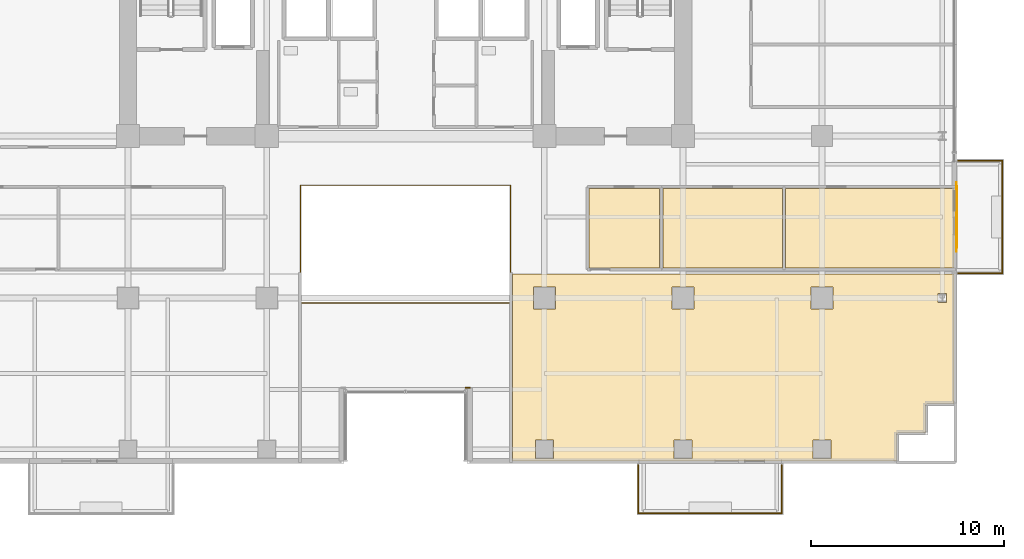
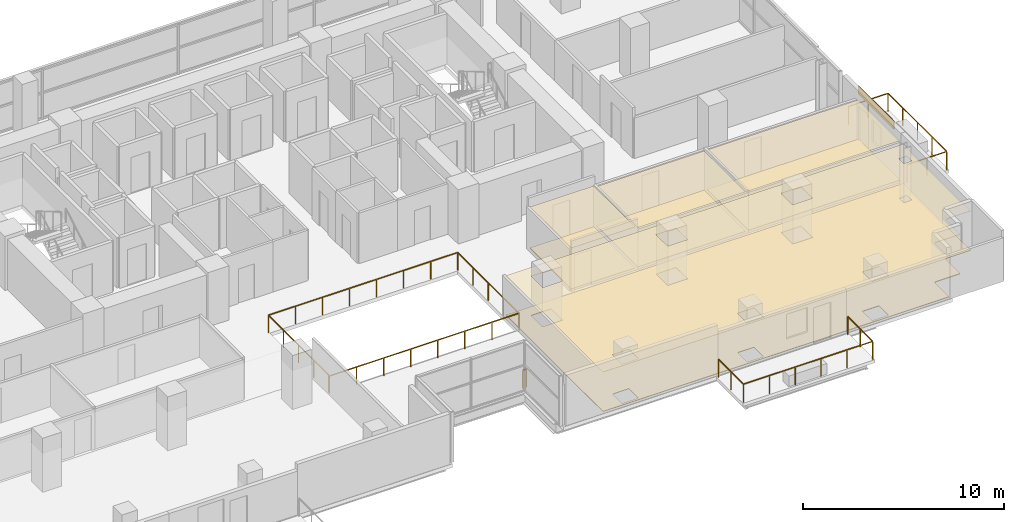
# One storey, part 28 of 30: 9 coverings, 4 railings, 1 shading device.
"""IFC4 building model written with IfcOpenShell, lengths in metres."""

from ifc_helpers import new_model, si_unit, direction, frame, origin, origin_2d, place, context, subcontext, project, spatial, polyline, rectangle, outline, extrude, source, transform, mapped, material, layer, layer_set, type_object, element, save


model = new_model("IFC4")

# Units and contexts
model_context = context("Model", 3, precision=1e-05, world=origin(), true_north=direction((0.0, 1.0)))
body_context = subcontext(model_context, "Body", "Model", "MODEL_VIEW")
ifc_project = project(units=[si_unit("LENGTHUNIT", "METRE"), si_unit("AREAUNIT", "SQUARE_METRE"), si_unit("VOLUMEUNIT", "CUBIC_METRE"), si_unit("PLANEANGLEUNIT", "RADIAN"), si_unit("MASSUNIT", "GRAM", prefix="KILO")], contexts=[model_context])

# Site, building, storey
site_placement = place(None, origin())
site = spatial("IfcSite", under=ifc_project, at=site_placement, CompositionType="ELEMENT")
building_placement = place(site_placement, origin())
building = spatial("IfcBuilding", under=site, at=building_placement, Name="Zarnakvel Exchange Tower", CompositionType="ELEMENT")
storey_placement = place(building_placement, frame((0.0, 0.0, 43.89990234375)))
storey = spatial("IfcBuildingStorey", under=building, at=storey_placement, Name="L11", CompositionType="ELEMENT", Elevation=43.89990234375)

# Coverings
ifc_material_1 = material(Name="Perforated Bronze Acoustic Metal Ceiling", Category="aluminium")
ifc_layer_1 = layer(ifc_material_1, 0.02001953125)
ifc_layer_set_1 = layer_set([ifc_layer_1], Name="Perforated Bronze Acoustic Metal Ceiling")
covering_type_1 = type_object("IfcCoveringType", Name="CLG-01", PredefinedType="CEILING", material=ifc_layer_set_1)
covering_1_placement = place(storey_placement, frame((0.0, 0.0, 2.505126953125)))
element("IfcCovering", 1, at=covering_1_placement, inside=storey, type_object=covering_type_1, Name="L11 Suspended Acoustic Ceiling (Conference Room)", PredefinedType="CEILING", context=body_context, shape_type="SweptSolid", body=[
    extrude(outline(polyline([(9.510009765625, -3.909912109375), (13.18798828125, -3.909912109375), (13.18798828125, -8.0400390625), (9.510009765625, -8.0400390625), (9.510009765625, -3.909912109375)])), origin(), (0.0, 0.0, 1.0), 0.02001953125),
])
covering_2_placement = place(storey_placement, frame((0.0, 0.0, 2.405029296875)))
element("IfcCovering", 2, at=covering_2_placement, inside=storey, type_object=covering_type_1, Name="L11 Suspended Acoustic Ceiling (Executive Suite)", PredefinedType="CEILING", context=body_context, shape_type="SweptSolid", body=[
    extrude(outline(polyline([(13.347900390625, -3.909912109375), (19.5546875, -3.909912109375), (19.5546875, -8.0400390625), (13.347900390625, -8.0400390625), (13.347900390625, -3.909912109375)])), origin(), (0.0, 0.0, 1.0), 0.02001953125),
])
covering_3_placement = place(storey_placement, frame((0.0, 0.0, 2.405029296875)))
element("IfcCovering", 3, at=covering_3_placement, inside=storey, type_object=covering_type_1, Name="L11 Suspended Acoustic Ceiling (Staff Pantry)", PredefinedType="CEILING", context=body_context, shape_type="SweptSolid", body=[
    extrude(outline(polyline([(19.714599609375, -3.909912109375), (28.449951171875, -3.909912109375), (28.449951171875, -8.0400390625), (19.714599609375, -8.0400390625), (19.714599609375, -3.909912109375)])), origin(), (0.0, 0.0, 1.0), 0.02001953125),
])
covering_4_placement = place(storey_placement, frame((0.0, 0.0, 2.405029296875)))
element("IfcCovering", 4, at=covering_4_placement, inside=storey, type_object=covering_type_1, Name="L11 Suspended Acoustic Ceiling (Quant Research Office)", PredefinedType="CEILING", context=body_context, shape_type="SweptSolid", body=[
    extrude(outline(polyline([(5.56005859375, -8.360107421875), (28.449951171875, -8.360107421875), (28.449951171875, -15.080078125), (27.10009765625, -15.080078125), (27.088134765625, -15.08056640625), (27.07666015625, -15.082275390625), (27.065185546875, -15.085205078125), (27.05419921875, -15.089111328125), (27.04345703125, -15.09423828125), (27.033447265625, -15.100341796875), (27.02392578125, -15.107177734375), (27.01513671875, -15.115234375), (27.00732421875, -15.123779296875), (27.000244140625, -15.13330078125), (26.994140625, -15.143310546875), (26.989013671875, -15.154052734375), (26.985107421875, -15.165283203125), (26.982421875, -15.176513671875), (26.98046875, -15.188232421875), (26.97998046875, -15.199951171875), (26.97998046875, -16.580078125), (25.60009765625, -16.580078125), (25.588134765625, -16.58056640625), (25.57666015625, -16.582275390625), (25.565185546875, -16.585205078125), (25.55419921875, -16.589111328125), (25.54345703125, -16.59423828125), (25.533447265625, -16.600341796875), (25.52392578125, -16.607177734375), (25.51513671875, -16.615234375), (25.50732421875, -16.623779296875), (25.500244140625, -16.63330078125), (25.494140625, -16.643310546875), (25.489013671875, -16.654052734375), (25.485107421875, -16.665283203125), (25.482421875, -16.676513671875), (25.48046875, -16.688232421875), (25.47998046875, -16.699951171875), (25.47998046875, -18.050048828125), (5.56005859375, -18.050048828125), (5.56005859375, -8.360107421875)]), holes=[polyline([(28.075927734375, -9.83251953125), (28.075927734375, -9.367431640625), (27.6240234375, -9.367431640625), (27.6240234375, -9.83251953125), (28.075927734375, -9.83251953125)]), polyline([(22.169921875, -10.169921875), (22.169921875, -9.030029296875), (21.030029296875, -9.030029296875), (21.030029296875, -10.169921875), (22.169921875, -10.169921875)]), polyline([(22.070068359375, -17.919921875), (22.070068359375, -16.97998046875), (21.1298828125, -16.97998046875), (21.1298828125, -17.919921875), (22.070068359375, -17.919921875)]), polyline([(13.830078125, -10.169921875), (14.969970703125, -10.169921875), (14.969970703125, -9.030029296875), (13.830078125, -9.030029296875), (13.830078125, -10.169921875)]), polyline([(14.8701171875, -17.919921875), (14.8701171875, -16.97998046875), (13.929931640625, -16.97998046875), (13.929931640625, -17.919921875), (14.8701171875, -17.919921875)]), polyline([(6.6298828125, -10.169921875), (7.77001953125, -10.169921875), (7.77001953125, -9.030029296875), (6.6298828125, -9.030029296875), (6.6298828125, -10.169921875)]), polyline([(7.669921875, -17.919921875), (7.669921875, -16.97998046875), (6.72998046875, -16.97998046875), (6.72998046875, -17.919921875), (7.669921875, -17.919921875)])]), origin(), (0.0, 0.0, 1.0), 0.02001953125),
])
ifc_material_2 = material(Name="Heavy-Duty Raised Access Floor Panel", Category="steel")
ifc_layer_2 = layer(ifc_material_2, 0.034912109375)
ifc_layer_set_2 = layer_set([ifc_layer_2], Name="Heavy-Duty Raised Access Floor Panel")
covering_type_2 = type_object("IfcCoveringType", Name="FLR-02", PredefinedType="FLOORING", material=ifc_layer_set_2)
covering_5_placement = place(storey_placement, origin())
element("IfcCovering", 5, at=covering_5_placement, inside=storey, type_object=covering_type_2, Name="L11 Floor Finish (Conference Room)", PredefinedType="FLOORING", context=body_context, shape_type="SweptSolid", body=[
    extrude(outline(polyline([(9.510009765625, -3.909912109375), (13.18798828125, -3.909912109375), (13.18798828125, -8.0400390625), (9.510009765625, -8.0400390625), (9.510009765625, -3.909912109375)])), origin(), (0.0, 0.0, 1.0), 0.03515625),
])
covering_6_placement = place(storey_placement, origin())
element("IfcCovering", 6, at=covering_6_placement, inside=storey, type_object=covering_type_2, Name="L11 Floor Finish (Executive Suite)", PredefinedType="FLOORING", context=body_context, shape_type="SweptSolid", body=[
    extrude(outline(polyline([(13.347900390625, -3.909912109375), (19.5546875, -3.909912109375), (19.5546875, -8.0400390625), (13.347900390625, -8.0400390625), (13.347900390625, -3.909912109375)])), origin(), (0.0, 0.0, 1.0), 0.03515625),
])
covering_7_placement = place(storey_placement, origin())
element("IfcCovering", 7, at=covering_7_placement, inside=storey, type_object=covering_type_2, Name="L11 Floor Finish (Staff Pantry)", PredefinedType="FLOORING", context=body_context, shape_type="SweptSolid", body=[
    extrude(outline(polyline([(19.714599609375, -3.909912109375), (28.449951171875, -3.909912109375), (28.449951171875, -8.0400390625), (19.714599609375, -8.0400390625), (19.714599609375, -3.909912109375)])), origin(), (0.0, 0.0, 1.0), 0.03515625),
])
covering_8_placement = place(storey_placement, origin())
element("IfcCovering", 8, at=covering_8_placement, inside=storey, type_object=covering_type_2, Name="L11 Floor Finish (Quant Research Office)", PredefinedType="FLOORING", context=body_context, shape_type="SweptSolid", body=[
    extrude(outline(polyline([(5.56005859375, -8.360107421875), (28.449951171875, -8.360107421875), (28.449951171875, -15.080078125), (27.10009765625, -15.080078125), (27.088134765625, -15.08056640625), (27.07666015625, -15.082275390625), (27.065185546875, -15.085205078125), (27.05419921875, -15.089111328125), (27.04345703125, -15.09423828125), (27.033447265625, -15.100341796875), (27.02392578125, -15.107177734375), (27.01513671875, -15.115234375), (27.00732421875, -15.123779296875), (27.000244140625, -15.13330078125), (26.994140625, -15.143310546875), (26.989013671875, -15.154052734375), (26.985107421875, -15.165283203125), (26.982421875, -15.176513671875), (26.98046875, -15.188232421875), (26.97998046875, -15.199951171875), (26.97998046875, -16.580078125), (25.60009765625, -16.580078125), (25.588134765625, -16.58056640625), (25.57666015625, -16.582275390625), (25.565185546875, -16.585205078125), (25.55419921875, -16.589111328125), (25.54345703125, -16.59423828125), (25.533447265625, -16.600341796875), (25.52392578125, -16.607177734375), (25.51513671875, -16.615234375), (25.50732421875, -16.623779296875), (25.500244140625, -16.63330078125), (25.494140625, -16.643310546875), (25.489013671875, -16.654052734375), (25.485107421875, -16.665283203125), (25.482421875, -16.676513671875), (25.48046875, -16.688232421875), (25.47998046875, -16.699951171875), (25.47998046875, -18.050048828125), (5.56005859375, -18.050048828125), (5.56005859375, -8.360107421875)]), holes=[polyline([(28.075927734375, -9.83251953125), (28.075927734375, -9.367431640625), (27.6240234375, -9.367431640625), (27.6240234375, -9.83251953125), (28.075927734375, -9.83251953125)]), polyline([(22.169921875, -10.169921875), (22.169921875, -9.030029296875), (21.030029296875, -9.030029296875), (21.030029296875, -10.169921875), (22.169921875, -10.169921875)]), polyline([(22.070068359375, -17.919921875), (22.070068359375, -16.97998046875), (21.1298828125, -16.97998046875), (21.1298828125, -17.919921875), (22.070068359375, -17.919921875)]), polyline([(13.830078125, -10.169921875), (14.969970703125, -10.169921875), (14.969970703125, -9.030029296875), (13.830078125, -9.030029296875), (13.830078125, -10.169921875)]), polyline([(14.8701171875, -17.919921875), (14.8701171875, -16.97998046875), (13.929931640625, -16.97998046875), (13.929931640625, -17.919921875), (14.8701171875, -17.919921875)]), polyline([(6.6298828125, -10.169921875), (7.77001953125, -10.169921875), (7.77001953125, -9.030029296875), (6.6298828125, -9.030029296875), (6.6298828125, -10.169921875)]), polyline([(7.669921875, -17.919921875), (7.669921875, -16.97998046875), (6.72998046875, -16.97998046875), (6.72998046875, -17.919921875), (7.669921875, -17.919921875)])]), origin(), (0.0, 0.0, 1.0), 0.03515625),
])

# Railings
ifc_material_3 = material(Name="Architectural Bronze Anodised Aluminium", Category="aluminium")
railing_type_1 = type_object("IfcRailingType", Name="GR-02", PredefinedType="GUARDRAIL", material=ifc_material_3)
railing_1_placement = place(storey_placement, frame((12.080078125, -18.280029296875, -0.034912109375)))
element("IfcRailing", 9, at=railing_1_placement, inside=storey, type_object=railing_type_1, Name="L11 Balcony Guardrail BAL-L11-SE", PredefinedType="GUARDRAIL", context=body_context, shape_type="SweptSolid", body=[
    extrude(rectangle(XDim=0.048095703125, YDim=0.048095703125, at=origin_2d()), frame((0.0, 0.0, 1.09619140625), z_axis=(0.0, -1.0, 0.0), x_axis=(1.0, 0.0, 0.0)), (0.0, 0.0, 1.0), 2.489990234375),
    extrude(rectangle(XDim=0.048095703125, YDim=0.048095703125, at=origin_2d()), frame((0.0, -2.489990234375, 1.09619140625), z_axis=(1.0, 0.0, 0.0), x_axis=(0.0, 1.0, 0.0)), (0.0, 0.0, 1.0), 7.43994140625),
    extrude(rectangle(XDim=0.048095703125, YDim=0.048095703125, at=origin_2d()), frame((7.43994140625, -2.489990234375, 1.09619140625), z_axis=(0.0, 1.0, 0.0), x_axis=(-1.0, 0.0, 0.0)), (0.0, 0.0, 1.0), 2.489990234375),
    extrude(rectangle(XDim=0.0419921875, YDim=0.0419921875, at=origin_2d()), origin(), (0.0, 0.0, 1.0), 1.072021484375),
    extrude(rectangle(XDim=0.0419921875, YDim=0.0419921875, at=origin_2d()), frame((0.0, -1.2451171875, 0.0)), (0.0, 0.0, 1.0), 1.072021484375),
    extrude(rectangle(XDim=0.0419921875, YDim=0.0419921875, at=origin_2d()), frame((0.0, -2.489990234375, 0.0)), (0.0, 0.0, 1.0), 1.072021484375),
    extrude(rectangle(XDim=0.0419921875, YDim=0.0419921875, at=origin_2d()), frame((1.488037109375, -2.489990234375, 0.0)), (0.0, 0.0, 1.0), 1.072021484375),
    extrude(rectangle(XDim=0.0419921875, YDim=0.0419921875, at=origin_2d()), frame((2.97607421875, -2.489990234375, 0.0)), (0.0, 0.0, 1.0), 1.072021484375),
    extrude(rectangle(XDim=0.0419921875, YDim=0.0419921875, at=origin_2d()), frame((4.4638671875, -2.489990234375, 0.0)), (0.0, 0.0, 1.0), 1.072021484375),
    extrude(rectangle(XDim=0.0419921875, YDim=0.0419921875, at=origin_2d()), frame((5.951904296875, -2.489990234375, 0.0)), (0.0, 0.0, 1.0), 1.072021484375),
    extrude(rectangle(XDim=0.0419921875, YDim=0.0419921875, at=origin_2d()), frame((7.43994140625, -2.489990234375, 0.0)), (0.0, 0.0, 1.0), 1.072021484375),
    extrude(rectangle(XDim=0.0419921875, YDim=0.0419921875, at=origin_2d()), frame((7.43994140625, -1.2451171875, 0.0)), (0.0, 0.0, 1.0), 1.072021484375),
    extrude(rectangle(XDim=0.0419921875, YDim=0.0419921875, at=origin_2d()), frame((7.43994140625, 0.0, 0.0)), (0.0, 0.0, 1.0), 1.072021484375),
])
railing_2_placement = place(storey_placement, frame((28.679931640625, -8.320068359375, -0.034912109375)))
element("IfcRailing", 10, at=railing_2_placement, inside=storey, type_object=railing_type_1, Name="L11 Balcony Guardrail BAL-L11-E", PredefinedType="GUARDRAIL", context=body_context, shape_type="SweptSolid", body=[
    extrude(rectangle(XDim=0.048095703125, YDim=0.048095703125, at=origin_2d()), frame((0.0, 0.0, 1.09619140625), z_axis=(1.0, 0.0, 0.0), x_axis=(0.0, 1.0, 0.0)), (0.0, 0.0, 1.0), 2.2900390625),
    extrude(rectangle(XDim=0.048095703125, YDim=0.048095703125, at=origin_2d()), frame((2.2900390625, 0.0, 1.09619140625), z_axis=(0.0, 1.0, 0.0), x_axis=(-1.0, 0.0, 0.0)), (0.0, 0.0, 1.0), 5.840087890625),
    extrude(rectangle(XDim=0.048095703125, YDim=0.048095703125, at=origin_2d()), frame((2.2900390625, 5.840087890625, 1.09619140625), z_axis=(-1.0, 0.0, 0.0), x_axis=(0.0, -1.0, 0.0)), (0.0, 0.0, 1.0), 2.2900390625),
    extrude(rectangle(XDim=0.0419921875, YDim=0.0419921875, at=origin_2d()), origin(), (0.0, 0.0, 1.0), 1.072021484375),
    extrude(rectangle(XDim=0.0419921875, YDim=0.0419921875, at=origin_2d()), frame((1.14501953125, 0.0, 0.0)), (0.0, 0.0, 1.0), 1.072021484375),
    extrude(rectangle(XDim=0.0419921875, YDim=0.0419921875, at=origin_2d()), frame((2.2900390625, 0.0, 0.0)), (0.0, 0.0, 1.0), 1.072021484375),
    extrude(rectangle(XDim=0.0419921875, YDim=0.0419921875, at=origin_2d()), frame((2.2900390625, 1.4599609375, 0.0)), (0.0, 0.0, 1.0), 1.072021484375),
    extrude(rectangle(XDim=0.0419921875, YDim=0.0419921875, at=origin_2d()), frame((2.2900390625, 2.919921875, 0.0)), (0.0, 0.0, 1.0), 1.072021484375),
    extrude(rectangle(XDim=0.0419921875, YDim=0.0419921875, at=origin_2d()), frame((2.2900390625, 4.380126953125, 0.0)), (0.0, 0.0, 1.0), 1.072021484375),
    extrude(rectangle(XDim=0.0419921875, YDim=0.0419921875, at=origin_2d()), frame((2.2900390625, 5.840087890625, 0.0)), (0.0, 0.0, 1.0), 1.072021484375),
    extrude(rectangle(XDim=0.0419921875, YDim=0.0419921875, at=origin_2d()), frame((1.14501953125, 5.840087890625, 0.0)), (0.0, 0.0, 1.0), 1.072021484375),
    extrude(rectangle(XDim=0.0419921875, YDim=0.0419921875, at=origin_2d()), frame((0.0, 5.840087890625, 0.0)), (0.0, 0.0, 1.0), 1.072021484375),
])
railing_3_placement = place(storey_placement, frame((3.340087890625, -14.260009765625, 0.0)))
element("IfcRailing", 11, at=railing_3_placement, inside=storey, type_object=railing_type_1, Name="L11 Corner Spandrel Balustrade #18", PredefinedType="GUARDRAIL", context=body_context, shape_type="SweptSolid", body=[
    extrude(rectangle(XDim=0.048095703125, YDim=0.048095703125, at=origin_2d()), frame((0.0, 0.0, 1.09619140625), z_axis=(-1.0, 0.0, 0.0), x_axis=(0.0, -1.0, 0.0)), (0.0, 0.0, 1.0), 0.219970703125),
    extrude(rectangle(XDim=0.0419921875, YDim=0.0419921875, at=origin_2d()), origin(), (0.0, 0.0, 1.0), 1.072021484375),
    extrude(rectangle(XDim=0.0419921875, YDim=0.0419921875, at=origin_2d()), frame((-0.219970703125, 0.0, 0.0)), (0.0, 0.0, 1.0), 1.072021484375),
])
railing_type_2 = type_object("IfcRailingType", Name="GR-03", PredefinedType="GUARDRAIL", material=ifc_material_3)
railing_4_placement = place(storey_placement, frame((-5.449951171875, -9.85009765625, 0.0)))
element("IfcRailing", 12, at=railing_4_placement, inside=storey, type_object=railing_type_2, Name="L11 Atrium Void Perimeter Balustrade", PredefinedType="GUARDRAIL", context=body_context, shape_type="SweptSolid", body=[
    extrude(rectangle(XDim=0.048095703125, YDim=0.048095703125, at=origin_2d()), frame((0.0, 0.0, 1.076171875), z_axis=(1.0, 0.0, 0.0), x_axis=(0.0, 1.0, 0.0)), (0.0, 0.0, 1.0), 10.89990234375),
    extrude(rectangle(XDim=0.048095703125, YDim=0.048095703125, at=origin_2d()), frame((10.89990234375, 0.0, 1.076171875), z_axis=(0.0, 1.0, 0.0), x_axis=(-1.0, 0.0, 0.0)), (0.0, 0.0, 1.0), 6.10009765625),
    extrude(rectangle(XDim=0.048095703125, YDim=0.048095703125, at=origin_2d()), frame((10.89990234375, 6.10009765625, 1.076171875), z_axis=(-1.0, 0.0, 0.0), x_axis=(0.0, -1.0, 0.0)), (0.0, 0.0, 1.0), 10.89990234375),
    extrude(rectangle(XDim=0.048095703125, YDim=0.048095703125, at=origin_2d()), frame((0.0, 6.10009765625, 1.076171875), z_axis=(0.0, -1.0, 0.0), x_axis=(1.0, 0.0, 0.0)), (0.0, 0.0, 1.0), 6.02001953125),
    extrude(rectangle(XDim=0.0419921875, YDim=0.0419921875, at=origin_2d()), origin(), (0.0, 0.0, 1.0), 1.052001953125),
    extrude(rectangle(XDim=0.0419921875, YDim=0.0419921875, at=origin_2d()), frame((1.55712890625, 0.0, 0.0)), (0.0, 0.0, 1.0), 1.052001953125),
    extrude(rectangle(XDim=0.0419921875, YDim=0.0419921875, at=origin_2d()), frame((3.1142578125, 0.0, 0.0)), (0.0, 0.0, 1.0), 1.052001953125),
    extrude(rectangle(XDim=0.0419921875, YDim=0.0419921875, at=origin_2d()), frame((4.67138671875, 0.0, 0.0)), (0.0, 0.0, 1.0), 1.052001953125),
    extrude(rectangle(XDim=0.0419921875, YDim=0.0419921875, at=origin_2d()), frame((6.228515625, 0.0, 0.0)), (0.0, 0.0, 1.0), 1.052001953125),
    extrude(rectangle(XDim=0.0419921875, YDim=0.0419921875, at=origin_2d()), frame((7.78564453125, 0.0, 0.0)), (0.0, 0.0, 1.0), 1.052001953125),
    extrude(rectangle(XDim=0.0419921875, YDim=0.0419921875, at=origin_2d()), frame((9.3427734375, 0.0, 0.0)), (0.0, 0.0, 1.0), 1.052001953125),
    extrude(rectangle(XDim=0.0419921875, YDim=0.0419921875, at=origin_2d()), frame((10.89990234375, 0.0, 0.0)), (0.0, 0.0, 1.0), 1.052001953125),
    extrude(rectangle(XDim=0.0419921875, YDim=0.0419921875, at=origin_2d()), frame((10.89990234375, 1.52490234375, 0.0)), (0.0, 0.0, 1.0), 1.052001953125),
    extrude(rectangle(XDim=0.0419921875, YDim=0.0419921875, at=origin_2d()), frame((10.89990234375, 3.050048828125, 0.0)), (0.0, 0.0, 1.0), 1.052001953125),
    extrude(rectangle(XDim=0.0419921875, YDim=0.0419921875, at=origin_2d()), frame((10.89990234375, 4.5751953125, 0.0)), (0.0, 0.0, 1.0), 1.052001953125),
    extrude(rectangle(XDim=0.0419921875, YDim=0.0419921875, at=origin_2d()), frame((10.89990234375, 6.10009765625, 0.0)), (0.0, 0.0, 1.0), 1.052001953125),
    extrude(rectangle(XDim=0.0419921875, YDim=0.0419921875, at=origin_2d()), frame((9.3427734375, 6.10009765625, 0.0)), (0.0, 0.0, 1.0), 1.052001953125),
    extrude(rectangle(XDim=0.0419921875, YDim=0.0419921875, at=origin_2d()), frame((7.78564453125, 6.10009765625, 0.0)), (0.0, 0.0, 1.0), 1.052001953125),
    extrude(rectangle(XDim=0.0419921875, YDim=0.0419921875, at=origin_2d()), frame((6.228515625, 6.10009765625, 0.0)), (0.0, 0.0, 1.0), 1.052001953125),
    extrude(rectangle(XDim=0.0419921875, YDim=0.0419921875, at=origin_2d()), frame((4.67138671875, 6.10009765625, 0.0)), (0.0, 0.0, 1.0), 1.052001953125),
    extrude(rectangle(XDim=0.0419921875, YDim=0.0419921875, at=origin_2d()), frame((3.1142578125, 6.10009765625, 0.0)), (0.0, 0.0, 1.0), 1.052001953125),
    extrude(rectangle(XDim=0.0419921875, YDim=0.0419921875, at=origin_2d()), frame((1.55712890625, 6.10009765625, 0.0)), (0.0, 0.0, 1.0), 1.052001953125),
    extrude(rectangle(XDim=0.0419921875, YDim=0.0419921875, at=origin_2d()), frame((0.0, 6.10009765625, 0.0)), (0.0, 0.0, 1.0), 1.052001953125),
    extrude(rectangle(XDim=0.0419921875, YDim=0.0419921875, at=origin_2d()), frame((0.0, 4.59521484375, 0.0)), (0.0, 0.0, 1.0), 1.052001953125),
    extrude(rectangle(XDim=0.0419921875, YDim=0.0419921875, at=origin_2d()), frame((0.0, 3.090087890625, 0.0)), (0.0, 0.0, 1.0), 1.052001953125),
    extrude(rectangle(XDim=0.0419921875, YDim=0.0419921875, at=origin_2d()), frame((0.0, 1.5849609375, 0.0)), (0.0, 0.0, 1.0), 1.052001953125),
    extrude(rectangle(XDim=0.0419921875, YDim=0.0419921875, at=origin_2d()), frame((0.0, 0.080078125, 0.0)), (0.0, 0.0, 1.0), 1.052001953125),
])

# Shading device
ifc_material_4 = material(Name="Perforated Architectural Bronze Screen", Category="aluminium")
ifc_layer_3 = layer(ifc_material_4, 0.044921875)
ifc_layer_set_3 = layer_set([ifc_layer_3], Name="Perforated Architectural Bronze Screen")
shading_device_type = type_object("IfcShadingDeviceType", Name="SS-01", PredefinedType="JALOUSIE", material=ifc_layer_set_3)
shared_shape_1 = source(origin(), body_context, "Body", "SweptSolid", [
    extrude(rectangle(XDim=3.199951171875, YDim=0.044921875, at=origin_2d()), origin(), (0.0, 0.0, 1.0), 0.4951171875),
])
shading_device_placement = place(storey_placement, frame((28.6005859375, -5.39990234375, 2.56005859375), z_axis=(0.0, 0.0, 1.0), x_axis=(0.0, -1.0, 0.0)))
element("IfcShadingDevice", 13, at=shading_device_placement, inside=storey, type_object=shading_device_type, Name="L11 Bronze Solar Shading Screen SS-01", PredefinedType="JALOUSIE", context=body_context, shape_type="MappedRepresentation", body=[
    mapped(shared_shape_1, transform((0.0, 0.0, 0.0), x_axis=(1.0, 0.0, 0.0), y_axis=(0.0, 1.0, 0.0), z_axis=(0.0, 0.0, 1.0), scale=1.0)),
])

# Covering
ifc_material_5 = material(Name="Glazed Turquoise Ceramic Architectural Tile", Category="ceramic")
ifc_layer_4 = layer(ifc_material_5, 0.028076171875)
ifc_layer_set_4 = layer_set([ifc_layer_4], Name="Glazed Turquoise Ceramic Architectural Tile")
covering_type_3 = type_object("IfcCoveringType", Name="CL-01", PredefinedType="CLADDING", material=ifc_layer_set_4)
shared_shape_2 = source(origin(), body_context, "Body", "SweptSolid", [
    extrude(rectangle(XDim=3.60009765625, YDim=0.028076171875, at=origin_2d()), origin(), (0.0, 0.0, 1.0), 0.4951171875),
])
covering_9_placement = place(storey_placement, frame((28.592041015625, -5.39990234375, 2.56005859375), z_axis=(0.0, 0.0, 1.0), x_axis=(0.0, -1.0, 0.0)))
element("IfcCovering", 14, at=covering_9_placement, inside=storey, type_object=covering_type_3, Name="L11 Ceramic Spandrel Tilework CL-01", PredefinedType="CLADDING", context=body_context, shape_type="MappedRepresentation", body=[
    mapped(shared_shape_2, transform((0.0, 0.0, 0.0), x_axis=(1.0, 0.0, 0.0), y_axis=(0.0, 1.0, 0.0), z_axis=(0.0, 0.0, 1.0), scale=1.0)),
])

save(model, "model.ifc")
